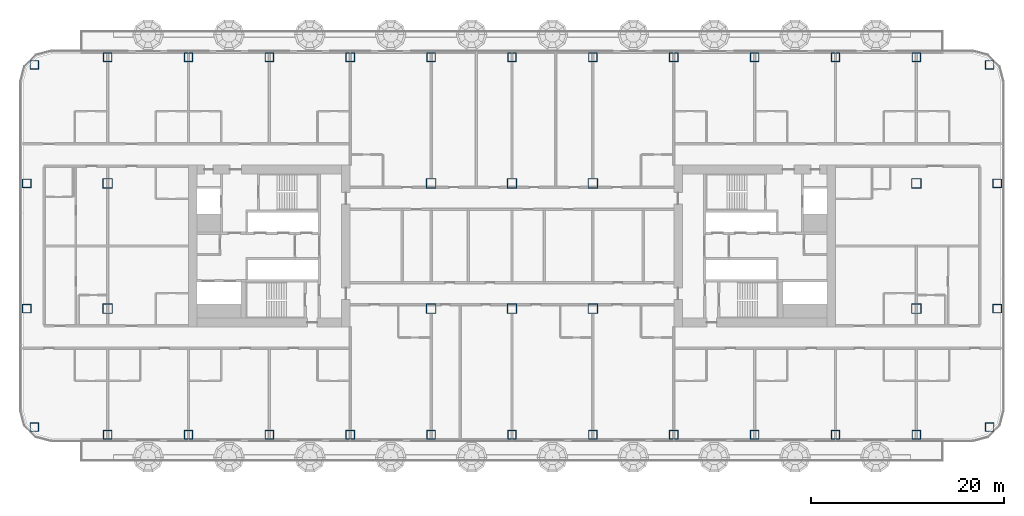
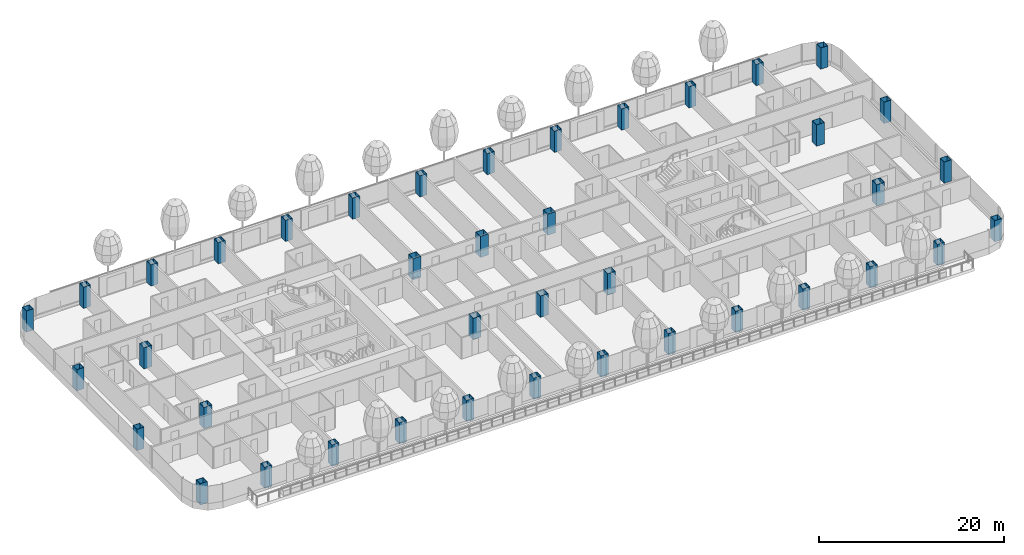
# One storey, part 1 of 35: 40 columns.
"""IFC4 building model written with IfcOpenShell, lengths in metres."""

from ifc_helpers import new_model, si_unit, direction, frame, origin, origin_2d, place, context, subcontext, project, spatial, hollow_rectangle, extrude, material, material_profile, profile_set, type_object, element, save


model = new_model("IFC4")

# Units and contexts
model_context = context("Model", 3, precision=1e-05, world=origin(), true_north=direction((0.0, 1.0)))
body_context = subcontext(model_context, "Body", "Model", "MODEL_VIEW")
ifc_project = project(units=[si_unit("LENGTHUNIT", "METRE"), si_unit("AREAUNIT", "SQUARE_METRE"), si_unit("VOLUMEUNIT", "CUBIC_METRE"), si_unit("PLANEANGLEUNIT", "RADIAN"), si_unit("MASSUNIT", "GRAM", prefix="KILO")], contexts=[model_context])

# Site, building, storey
site_placement = place(None, origin())
site = spatial("IfcSite", under=ifc_project, at=site_placement, CompositionType="ELEMENT")
building_placement = place(site_placement, origin())
building = spatial("IfcBuilding", under=site, at=building_placement, Name="Hakoniwa Tower and Hamabe Station Hall", CompositionType="ELEMENT")
storey_placement = place(building_placement, frame((0.0, 0.0, 51.800048828125)))
storey = spatial("IfcBuildingStorey", under=building, at=storey_placement, Name="L14", CompositionType="ELEMENT", Elevation=51.800048828125)

# Columns
ifc_material_1 = material(Name="Steel SN490C", Category="steel")
ifc_material_profile_1 = material_profile(ifc_material_1, hollow_rectangle(XDim=1.0, YDim=1.0, WallThickness=0.0400390625, at=origin_2d()), Name="BX-1000x1000x40")
ifc_profile_set_1 = profile_set([ifc_material_profile_1], Name="Steel SN490C")
column_type_1 = type_object("IfcColumnType", Name="COLUMN BX-1000x1000x40", PredefinedType="COLUMN", material=ifc_profile_set_1)
for number, where, z_axis, x_axis, name in (
    (1, (-42.0, -6.5, 0.0), (0.0, 0.0, 1.0), (1.0, 0.0, 0.0), "Column B1-2-C1"),
    (2, (-42.0, 6.5, 0.0), (0.0, 0.0, 1.0), (1.0, 0.0, 0.0), "Column B1-2-E1"),
    (3, (-8.39990234375, -6.5, 0.0), (0.0, 0.0, 1.0), (1.0, 0.0, 0.0), "Column B1-6-C1"),
    (4, (-8.39990234375, 6.5, 0.0), (0.0, 0.0, 1.0), (1.0, 0.0, 0.0), "Column B1-6-E1"),
    (5, (0.0, -6.5, 0.0), (0.0, 0.0, 1.0), (1.0, 0.0, 0.0), "Column B1-7-C1"),
    (6, (0.0, 6.5, 0.0), (0.0, 0.0, 1.0), (1.0, 0.0, 0.0), "Column B1-7-E1"),
    (7, (8.39990234375, -6.5, 0.0), (0.0, 0.0, 1.0), (1.0, 0.0, 0.0), "Column B1-8-C1"),
    (8, (8.39990234375, 6.5, 0.0), (0.0, 0.0, 1.0), (1.0, 0.0, 0.0), "Column B1-8-E1"),
    (9, (42.0, -6.5, 0.0), (0.0, 0.0, 1.0), (1.0, 0.0, 0.0), "Column B1-12-C1"),
    (10, (42.0, 6.5, 0.0), (0.0, 0.0, 1.0), (1.0, 0.0, 0.0), "Column B1-12-E1"),
):
    element("IfcColumn", number, at=place(storey_placement, frame(where, z_axis=z_axis, x_axis=x_axis)), inside=storey, type_object=column_type_1, Name=name, PredefinedType="COLUMN", context=body_context, shape_type="SweptSolid", body=[
        extrude(hollow_rectangle(XDim=1.0, YDim=1.0, WallThickness=0.0400390625, at=origin_2d()), origin(), (0.0, 0.0, 1.0), 2.800048828125),
    ])
ifc_material_2 = material(Name="Steel SN490C", Category="steel")
ifc_material_profile_2 = material_profile(ifc_material_2, hollow_rectangle(XDim=0.89990234375, YDim=0.89990234375, WallThickness=0.035888671875, at=origin_2d()), Name="BX-900x900x36")
ifc_profile_set_2 = profile_set([ifc_material_profile_2], Name="Steel SN490C")
column_type_2 = type_object("IfcColumnType", Name="COLUMN BX-900x900x36", PredefinedType="COLUMN", material=ifc_profile_set_2)
for number, where, z_axis, x_axis, name in (
    (11, (-49.60302734375, -18.802978515625, 0.0), (0.0, 0.0, 1.0), (1.0, 0.0, 0.0), "Column B1-1-A1"),
    (12, (-50.39990234375, -6.5, 0.0), (0.0, 0.0, 1.0), (1.0, 0.0, 0.0), "Column B1-1-C1"),
    (13, (-50.39990234375, 6.5, 0.0), (0.0, 0.0, 1.0), (1.0, 0.0, 0.0), "Column B1-1-E1"),
    (14, (-49.60302734375, 18.802978515625, 0.0), (0.0, 0.0, 1.0), (1.0, 0.0, 0.0), "Column B1-1-G1"),
    (15, (-42.0, -19.60009765625, 0.0), (0.0, 0.0, 1.0), (1.0, 0.0, 0.0), "Column B1-2-A1"),
    (16, (-42.0, 19.60009765625, 0.0), (0.0, 0.0, 1.0), (1.0, 0.0, 0.0), "Column B1-2-G1"),
    (17, (-33.60009765625, -19.60009765625, 0.0), (0.0, 0.0, 1.0), (1.0, 0.0, 0.0), "Column B1-3-A1"),
    (18, (-33.60009765625, 19.60009765625, 0.0), (0.0, 0.0, 1.0), (1.0, 0.0, 0.0), "Column B1-3-G1"),
    (19, (-25.199951171875, -19.60009765625, 0.0), (0.0, 0.0, 1.0), (1.0, 0.0, 0.0), "Column B1-4-A1"),
    (20, (-25.199951171875, 19.60009765625, 0.0), (0.0, 0.0, 1.0), (1.0, 0.0, 0.0), "Column B1-4-G1"),
    (21, (-16.800048828125, -19.60009765625, 0.0), (0.0, 0.0, 1.0), (1.0, 0.0, 0.0), "Column B1-5-A1"),
    (22, (-16.800048828125, 19.60009765625, 0.0), (0.0, 0.0, 1.0), (1.0, 0.0, 0.0), "Column B1-5-G1"),
    (23, (-8.39990234375, -19.60009765625, 0.0), (0.0, 0.0, 1.0), (1.0, 0.0, 0.0), "Column B1-6-A1"),
    (24, (-8.39990234375, 19.60009765625, 0.0), (0.0, 0.0, 1.0), (1.0, 0.0, 0.0), "Column B1-6-G1"),
    (25, (0.0, -19.60009765625, 0.0), (0.0, 0.0, 1.0), (1.0, 0.0, 0.0), "Column B1-7-A1"),
    (26, (0.0, 19.60009765625, 0.0), (0.0, 0.0, 1.0), (1.0, 0.0, 0.0), "Column B1-7-G1"),
    (27, (8.39990234375, -19.60009765625, 0.0), (0.0, 0.0, 1.0), (1.0, 0.0, 0.0), "Column B1-8-A1"),
    (28, (8.39990234375, 19.60009765625, 0.0), (0.0, 0.0, 1.0), (1.0, 0.0, 0.0), "Column B1-8-G1"),
    (29, (16.800048828125, -19.60009765625, 0.0), (0.0, 0.0, 1.0), (1.0, 0.0, 0.0), "Column B1-9-A1"),
    (30, (16.800048828125, 19.60009765625, 0.0), (0.0, 0.0, 1.0), (1.0, 0.0, 0.0), "Column B1-9-G1"),
    (31, (25.199951171875, -19.60009765625, 0.0), (0.0, 0.0, 1.0), (1.0, 0.0, 0.0), "Column B1-10-A1"),
    (32, (25.199951171875, 19.60009765625, 0.0), (0.0, 0.0, 1.0), (1.0, 0.0, 0.0), "Column B1-10-G1"),
    (33, (33.60009765625, -19.60009765625, 0.0), (0.0, 0.0, 1.0), (1.0, 0.0, 0.0), "Column B1-11-A1"),
    (34, (33.60009765625, 19.60009765625, 0.0), (0.0, 0.0, 1.0), (1.0, 0.0, 0.0), "Column B1-11-G1"),
    (35, (42.0, -19.60009765625, 0.0), (0.0, 0.0, 1.0), (1.0, 0.0, 0.0), "Column B1-12-A1"),
    (36, (42.0, 19.60009765625, 0.0), (0.0, 0.0, 1.0), (1.0, 0.0, 0.0), "Column B1-12-G1"),
    (37, (49.60302734375, -18.802978515625, 0.0), (0.0, 0.0, 1.0), (1.0, 0.0, 0.0), "Column B1-13-A1"),
    (38, (50.39990234375, -6.5, 0.0), (0.0, 0.0, 1.0), (1.0, 0.0, 0.0), "Column B1-13-C1"),
    (39, (50.39990234375, 6.5, 0.0), (0.0, 0.0, 1.0), (1.0, 0.0, 0.0), "Column B1-13-E1"),
    (40, (49.60302734375, 18.802978515625, 0.0), (0.0, 0.0, 1.0), (1.0, 0.0, 0.0), "Column B1-13-G1"),
):
    element("IfcColumn", number, at=place(storey_placement, frame(where, z_axis=z_axis, x_axis=x_axis)), inside=storey, type_object=column_type_2, Name=name, PredefinedType="COLUMN", context=body_context, shape_type="SweptSolid", body=[
        extrude(hollow_rectangle(XDim=0.89990234375, YDim=0.89990234375, WallThickness=0.035888671875, at=origin_2d()), origin(), (0.0, 0.0, 1.0), 2.800048828125),
    ])

save(model, "model.ifc")
